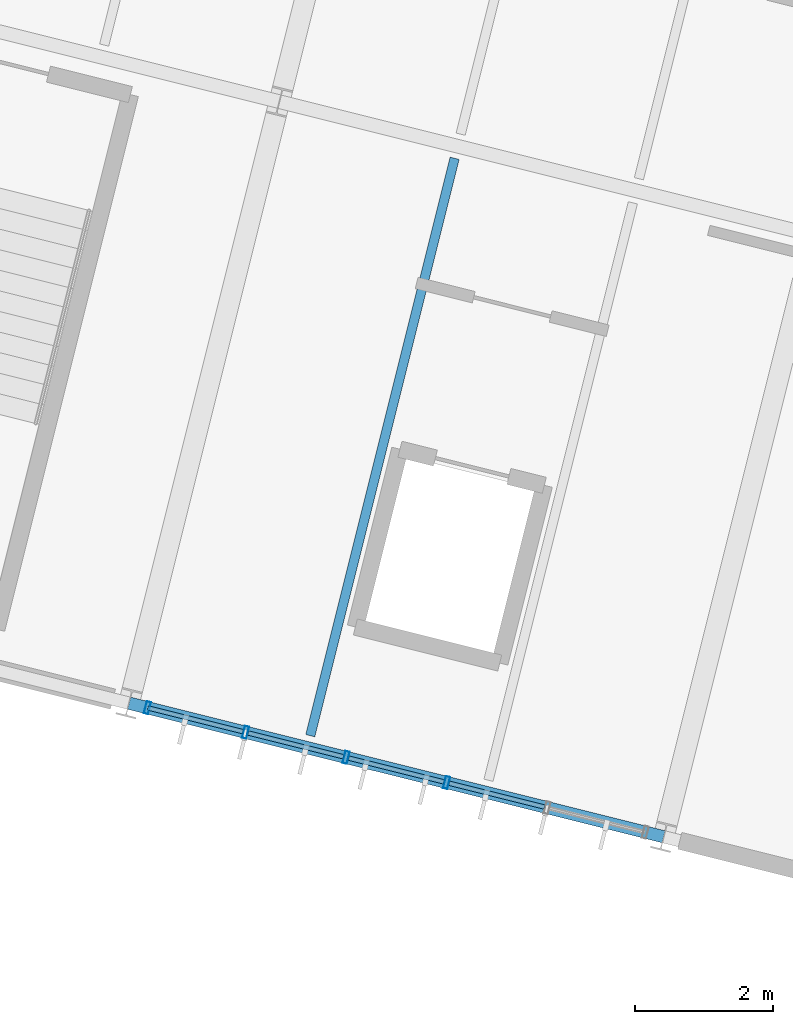
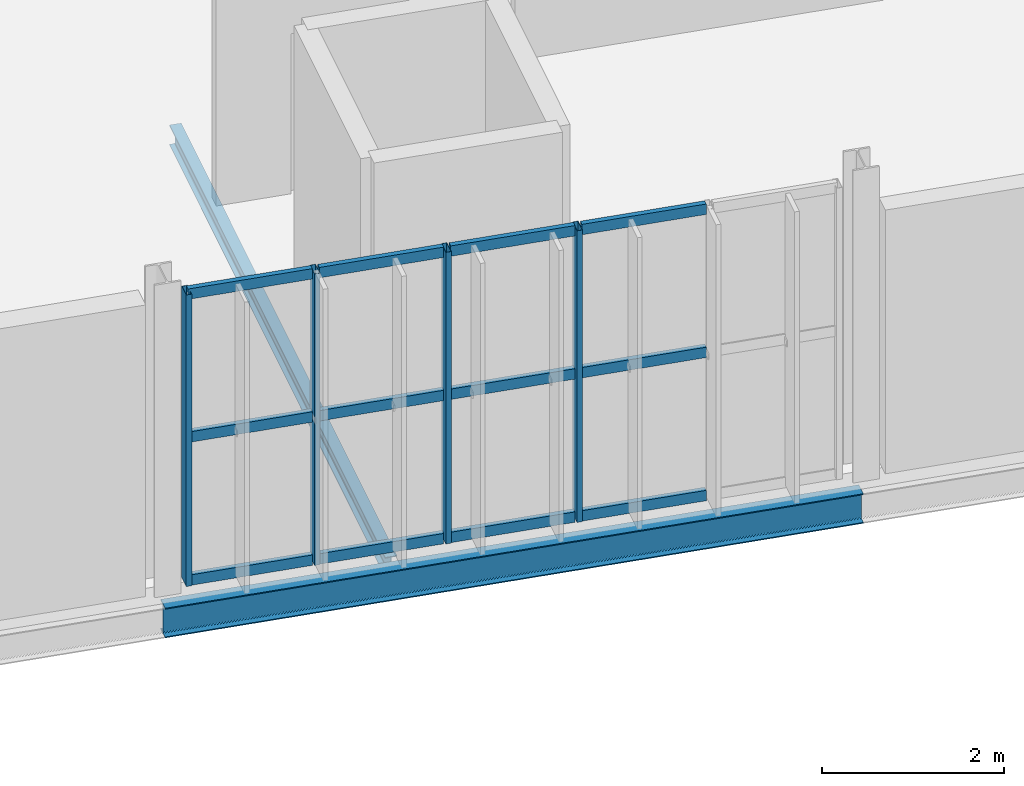
# One storey, part 23 of 61: 16 members, 2 beams, 1 element without a shape of its own.
"""IFC4 building model written with IfcOpenShell, lengths in metres."""

from ifc_helpers import new_model, si_unit, derived_unit, direction, frame, origin, origin_2d, place, context, subcontext, project, spatial, hollow_rectangle, i_section, extrude, material, material_profile, profile_set, type_object, element, aggregate, save


model = new_model("IFC4")

# Units and contexts
model_context = context("Model", 3, precision=1e-05, world=origin(), true_north=direction((0.0, 1.0)))
body_context = subcontext(model_context, "Body", "Model", "MODEL_VIEW")
ifc_project = project(units=[si_unit("LENGTHUNIT", "METRE"), si_unit("AREAUNIT", "SQUARE_METRE"), si_unit("VOLUMEUNIT", "CUBIC_METRE"), si_unit("PLANEANGLEUNIT", "RADIAN"), si_unit("MASSUNIT", "GRAM", prefix="KILO"), si_unit("THERMODYNAMICTEMPERATUREUNIT", "KELVIN"), si_unit("TIMEUNIT", "SECOND"), derived_unit("THERMALTRANSMITTANCEUNIT", [(si_unit("MASSUNIT", "GRAM", prefix="KILO"), 1), (si_unit("THERMODYNAMICTEMPERATUREUNIT", "KELVIN"), -1), (si_unit("TIMEUNIT", "SECOND"), -3)])], contexts=[model_context])

# Site, building, storey
site_placement = place(None, origin())
site = spatial("IfcSite", under=ifc_project, at=site_placement, CompositionType="ELEMENT")
building_placement = place(site_placement, origin())
building = spatial("IfcBuilding", under=site, at=building_placement, Name="Cambertide Market Hall", CompositionType="ELEMENT")
storey_placement = place(building_placement, frame((0.0, 0.0, 9.89990234375)))
storey = spatial("IfcBuildingStorey", under=building, at=storey_placement, Name="L03", CompositionType="ELEMENT", Elevation=9.89990234375)

# Curtain wall, members
ifc_material_1 = material(Name="Marine Anodized Aluminium 6063-T6 AA25", Category="aluminium")
curtain_wall_type = type_object("IfcCurtainWallType", Name="Cooking School Classroom Curtain Wall", PredefinedType="USERDEFINED", material=ifc_material_1)
curtain_wall_placement = place(storey_placement, origin())
curtain_wall = element("IfcCurtainWall", 1, at=curtain_wall_placement, inside=storey, type_object=curtain_wall_type, Name="Level 3 Curtain Wall CW-V4S-L03-3", ObjectType="UNITIZED CURTAIN WALL", PredefinedType="USERDEFINED")
ifc_material_2 = material(Name="Champagne Marine Anodized Aluminium 6063-T6 AA25", Category="aluminium")
ifc_material_profile_1 = material_profile(ifc_material_2, hollow_rectangle(XDim=0.06494140625, YDim=0.179931640625, WallThickness=0.00390625, at=origin_2d()), Name="ALU MULLION 65x180")
ifc_profile_set_1 = profile_set([ifc_material_profile_1], Name="Champagne Marine Anodized Aluminium 6063-T6 AA25")
member_type_1 = type_object("IfcMemberType", Name="Curtain Wall Mullion ALU MULLION 65x180", PredefinedType="MULLION", material=ifc_profile_set_1)
member_1_placement = place(storey_placement, frame((128.13232421875, 94.966796875, 0.0), z_axis=(0.0, 0.0, 1.0), x_axis=(-0.970142531436, 0.242535499875, 0.0)))
member_1 = element("IfcMember", 2, at=member_1_placement, type_object=member_type_1, Name="CW-V4S-L03-3 Mullion 3", PredefinedType="MULLION", context=body_context, shape_type="SweptSolid", body=[
    extrude(hollow_rectangle(XDim=0.06494140625, YDim=0.179931640625, WallThickness=0.00390625, at=origin_2d()), origin(), (0.0, 0.0, 1.0), 3.920166015625),
])
member_2_placement = place(storey_placement, frame((126.67333984375, 95.331787109375, 0.0), z_axis=(0.0, 0.0, 1.0), x_axis=(-0.970142531436, 0.242535499875, 0.0)))
member_2 = element("IfcMember", 3, at=member_2_placement, type_object=member_type_1, Name="CW-V4S-L03-3 Mullion 4", PredefinedType="MULLION", context=body_context, shape_type="SweptSolid", body=[
    extrude(hollow_rectangle(XDim=0.06494140625, YDim=0.179931640625, WallThickness=0.00390625, at=origin_2d()), origin(), (0.0, 0.0, 1.0), 3.920166015625),
])
member_3_placement = place(storey_placement, frame((125.214111328125, 95.696533203125, 0.0), z_axis=(0.0, 0.0, 1.0), x_axis=(-0.970142531436, 0.242535499875, 0.0)))
member_3 = element("IfcMember", 4, at=member_3_placement, type_object=member_type_1, Name="CW-V4S-L03-3 Mullion 5", PredefinedType="MULLION", context=body_context, shape_type="SweptSolid", body=[
    extrude(hollow_rectangle(XDim=0.06494140625, YDim=0.179931640625, WallThickness=0.00390625, at=origin_2d()), origin(), (0.0, 0.0, 1.0), 3.920166015625),
])
member_4_placement = place(storey_placement, frame((123.7890625, 96.052734375, 0.0), z_axis=(0.0, 0.0, 1.0), x_axis=(-0.970142531436, 0.242535499875, 0.0)))
member_4 = element("IfcMember", 5, at=member_4_placement, type_object=member_type_1, Name="CW-V4S-L03-3 Mullion 6", PredefinedType="MULLION", context=body_context, shape_type="SweptSolid", body=[
    extrude(hollow_rectangle(XDim=0.06494140625, YDim=0.179931640625, WallThickness=0.00390625, at=origin_2d()), origin(), (0.0, 0.0, 1.0), 3.920166015625),
])
ifc_material_3 = material(Name="Champagne Marine Anodized Aluminium 6063-T6 AA25", Category="aluminium")
ifc_material_profile_2 = material_profile(ifc_material_3, hollow_rectangle(XDim=0.06494140625, YDim=0.139892578125, WallThickness=0.00341796875, at=origin_2d()), Name="ALU TRANSOM 65x140")
ifc_profile_set_2 = profile_set([ifc_material_profile_2], Name="Champagne Marine Anodized Aluminium 6063-T6 AA25")
member_type_2 = type_object("IfcMemberType", Name="Curtain Wall Transom ALU TRANSOM 65x140", PredefinedType="USERDEFINED", material=ifc_profile_set_2)
member_5_placement = place(storey_placement, frame((129.552734375, 94.61181640625, 0.03515625), z_axis=(-0.970132415085, 0.242575961715, 0.0), x_axis=(-0.242575961715, -0.970132415085, 0.0)))
member_5 = element("IfcMember", 6, at=member_5_placement, type_object=member_type_2, Name="CW-V4S-L03-3 Transom 1-2", ObjectType="TRANSOM", PredefinedType="USERDEFINED", context=body_context, shape_type="SweptSolid", body=[
    extrude(hollow_rectangle(XDim=0.06494140625, YDim=0.139892578125, WallThickness=0.00341796875, at=origin_2d()), origin(), (0.0, 0.0, 1.0), 1.424072265625),
])
member_6_placement = place(storey_placement, frame((128.093505859375, 94.9765625, 0.03515625), z_axis=(-0.970122324991, 0.242616311393, 0.0), x_axis=(-0.242616311393, -0.970122324991, 0.0)))
member_6 = element("IfcMember", 7, at=member_6_placement, type_object=member_type_2, Name="CW-V4S-L03-3 Transom 1-3", ObjectType="TRANSOM", PredefinedType="USERDEFINED", context=body_context, shape_type="SweptSolid", body=[
    extrude(hollow_rectangle(XDim=0.06494140625, YDim=0.139892578125, WallThickness=0.00341796875, at=origin_2d()), origin(), (0.0, 0.0, 1.0), 1.423828125),
])
member_7_placement = place(storey_placement, frame((126.634521484375, 95.34130859375, 0.03515625), z_axis=(-0.970132415085, 0.242575961715, 0.0), x_axis=(-0.242575961715, -0.970132415085, 0.0)))
member_7 = element("IfcMember", 8, at=member_7_placement, type_object=member_type_2, Name="CW-V4S-L03-3 Transom 1-4", ObjectType="TRANSOM", PredefinedType="USERDEFINED", context=body_context, shape_type="SweptSolid", body=[
    extrude(hollow_rectangle(XDim=0.06494140625, YDim=0.139892578125, WallThickness=0.00341796875, at=origin_2d()), origin(), (0.0, 0.0, 1.0), 1.424072265625),
])
member_8_placement = place(storey_placement, frame((125.17529296875, 95.7060546875, 0.03515625), z_axis=(-0.970122324991, 0.242616311393, 0.0), x_axis=(-0.242616311393, -0.970122324991, 0.0)))
member_8 = element("IfcMember", 9, at=member_8_placement, type_object=member_type_2, Name="CW-V4S-L03-3 Transom 1-5", ObjectType="TRANSOM", PredefinedType="USERDEFINED", context=body_context, shape_type="SweptSolid", body=[
    extrude(hollow_rectangle(XDim=0.06494140625, YDim=0.139892578125, WallThickness=0.00341796875, at=origin_2d()), origin(), (0.0, 0.0, 1.0), 1.423828125),
])
member_9_placement = place(storey_placement, frame((129.552734375, 94.61181640625, 1.960205078125), z_axis=(-0.970132415085, 0.242575961715, 0.0), x_axis=(-0.242575961715, -0.970132415085, 0.0)))
member_9 = element("IfcMember", 10, at=member_9_placement, type_object=member_type_2, Name="CW-V4S-L03-3 Transom 2-2", ObjectType="TRANSOM", PredefinedType="USERDEFINED", context=body_context, shape_type="SweptSolid", body=[
    extrude(hollow_rectangle(XDim=0.06494140625, YDim=0.139892578125, WallThickness=0.00341796875, at=origin_2d()), origin(), (0.0, 0.0, 1.0), 1.424072265625),
])
member_10_placement = place(storey_placement, frame((128.093505859375, 94.9765625, 1.960205078125), z_axis=(-0.970122324991, 0.242616311393, 0.0), x_axis=(-0.242616311393, -0.970122324991, 0.0)))
member_10 = element("IfcMember", 11, at=member_10_placement, type_object=member_type_2, Name="CW-V4S-L03-3 Transom 2-3", ObjectType="TRANSOM", PredefinedType="USERDEFINED", context=body_context, shape_type="SweptSolid", body=[
    extrude(hollow_rectangle(XDim=0.06494140625, YDim=0.139892578125, WallThickness=0.00341796875, at=origin_2d()), origin(), (0.0, 0.0, 1.0), 1.423828125),
])
member_11_placement = place(storey_placement, frame((126.634521484375, 95.34130859375, 1.960205078125), z_axis=(-0.970132415085, 0.242575961715, 0.0), x_axis=(-0.242575961715, -0.970132415085, 0.0)))
member_11 = element("IfcMember", 12, at=member_11_placement, type_object=member_type_2, Name="CW-V4S-L03-3 Transom 2-4", ObjectType="TRANSOM", PredefinedType="USERDEFINED", context=body_context, shape_type="SweptSolid", body=[
    extrude(hollow_rectangle(XDim=0.06494140625, YDim=0.139892578125, WallThickness=0.00341796875, at=origin_2d()), origin(), (0.0, 0.0, 1.0), 1.424072265625),
])
member_12_placement = place(storey_placement, frame((125.17529296875, 95.7060546875, 1.960205078125), z_axis=(-0.970122324991, 0.242616311393, 0.0), x_axis=(-0.242616311393, -0.970122324991, 0.0)))
member_12 = element("IfcMember", 13, at=member_12_placement, type_object=member_type_2, Name="CW-V4S-L03-3 Transom 2-5", ObjectType="TRANSOM", PredefinedType="USERDEFINED", context=body_context, shape_type="SweptSolid", body=[
    extrude(hollow_rectangle(XDim=0.06494140625, YDim=0.139892578125, WallThickness=0.00341796875, at=origin_2d()), origin(), (0.0, 0.0, 1.0), 1.423828125),
])
member_13_placement = place(storey_placement, frame((129.552734375, 94.61181640625, 3.885009765625), z_axis=(-0.970132415085, 0.242575961715, 0.0), x_axis=(-0.242575961715, -0.970132415085, 0.0)))
member_13 = element("IfcMember", 14, at=member_13_placement, type_object=member_type_2, Name="CW-V4S-L03-3 Transom 3-2", ObjectType="TRANSOM", PredefinedType="USERDEFINED", context=body_context, shape_type="SweptSolid", body=[
    extrude(hollow_rectangle(XDim=0.06494140625, YDim=0.139892578125, WallThickness=0.00341796875, at=origin_2d()), origin(), (0.0, 0.0, 1.0), 1.424072265625),
])
member_14_placement = place(storey_placement, frame((128.093505859375, 94.9765625, 3.885009765625), z_axis=(-0.970122324991, 0.242616311393, 0.0), x_axis=(-0.242616311393, -0.970122324991, 0.0)))
member_14 = element("IfcMember", 15, at=member_14_placement, type_object=member_type_2, Name="CW-V4S-L03-3 Transom 3-3", ObjectType="TRANSOM", PredefinedType="USERDEFINED", context=body_context, shape_type="SweptSolid", body=[
    extrude(hollow_rectangle(XDim=0.06494140625, YDim=0.139892578125, WallThickness=0.00341796875, at=origin_2d()), origin(), (0.0, 0.0, 1.0), 1.423828125),
])
member_15_placement = place(storey_placement, frame((126.634521484375, 95.34130859375, 3.885009765625), z_axis=(-0.970132415085, 0.242575961715, 0.0), x_axis=(-0.242575961715, -0.970132415085, 0.0)))
member_15 = element("IfcMember", 16, at=member_15_placement, type_object=member_type_2, Name="CW-V4S-L03-3 Transom 3-4", ObjectType="TRANSOM", PredefinedType="USERDEFINED", context=body_context, shape_type="SweptSolid", body=[
    extrude(hollow_rectangle(XDim=0.06494140625, YDim=0.139892578125, WallThickness=0.00341796875, at=origin_2d()), origin(), (0.0, 0.0, 1.0), 1.424072265625),
])
member_16_placement = place(storey_placement, frame((125.17529296875, 95.7060546875, 3.885009765625), z_axis=(-0.970122324991, 0.242616311393, 0.0), x_axis=(-0.242616311393, -0.970122324991, 0.0)))
member_16 = element("IfcMember", 17, at=member_16_placement, type_object=member_type_2, Name="CW-V4S-L03-3 Transom 3-5", ObjectType="TRANSOM", PredefinedType="USERDEFINED", context=body_context, shape_type="SweptSolid", body=[
    extrude(hollow_rectangle(XDim=0.06494140625, YDim=0.139892578125, WallThickness=0.00341796875, at=origin_2d()), origin(), (0.0, 0.0, 1.0), 1.423828125),
])
aggregate(curtain_wall, [member_1, member_2, member_3, member_4, member_5, member_6, member_7, member_8, member_9, member_10, member_11, member_12, member_13, member_14, member_15, member_16])

# Beams
ifc_material_4 = material(Name="Steel S355", Category="steel")
ifc_material_profile_3 = material_profile(ifc_material_4, i_section(OverallWidth=0.179931640625, OverallDepth=0.39990234375, WebThickness=0.008544921875, FlangeThickness=0.013427734375, FilletRadius=0.02099609375, at=origin_2d()), Name="IPE 400")
ifc_profile_set_3 = profile_set([ifc_material_profile_3], Name="Steel S355")
beam_type_1 = type_object("IfcBeamType", Name="Perimeter Spandrel Beam IPE 400", PredefinedType="SPANDREL", material=ifc_profile_set_3)
beam_1_placement = place(storey_placement, frame((123.522216796875, 96.119384765625, -0.44482421875), z_axis=(0.970146090314, -0.242521263911, 0.0), x_axis=(0.242521263911, 0.970146090314, 0.0)))
element("IfcBeam", 18, at=beam_1_placement, inside=storey, type_object=beam_type_1, Name="Level 3 Spandrel BM-V4U-L03-3-1", PredefinedType="SPANDREL", context=body_context, shape_type="SweptSolid", body=[
    extrude(i_section(OverallWidth=0.179931640625, OverallDepth=0.39990234375, WebThickness=0.008544921875, FlangeThickness=0.013427734375, FilletRadius=0.02099609375, at=origin_2d()), origin(), (0.0, 0.0, 1.0), 8.0),
])
ifc_material_5 = material(Name="Steel S275", Category="steel")
ifc_material_profile_4 = material_profile(ifc_material_5, i_section(OverallWidth=0.135009765625, OverallDepth=0.27001953125, WebThickness=0.006591796875, FlangeThickness=0.01025390625, FilletRadius=0.014892578125, at=origin_2d()), Name="IPE 270")
ifc_profile_set_4 = profile_set([ifc_material_profile_4], Name="Steel S275")
beam_type_2 = type_object("IfcBeamType", Name="Steel Secondary Joist IPE 270", PredefinedType="JOIST", material=ifc_profile_set_4)
beam_2_placement = place(storey_placement, frame((126.153076171875, 95.647216796875, -0.3798828125), z_axis=(0.242528976348, 0.970144162293, 0.0), x_axis=(-0.970144162293, 0.242528976348, 0.0)))
element("IfcBeam", 19, at=beam_2_placement, inside=storey, type_object=beam_type_2, Name="Level 3 Joist JS-V4-L03-3-1-1", PredefinedType="JOIST", context=body_context, shape_type="SweptSolid", body=[
    extrude(i_section(OverallWidth=0.135009765625, OverallDepth=0.27001953125, WebThickness=0.006591796875, FlangeThickness=0.01025390625, FilletRadius=0.014892578125, at=origin_2d()), origin(), (0.0, 0.0, 1.0), 8.64013671875),
])

save(model, "model.ifc")
